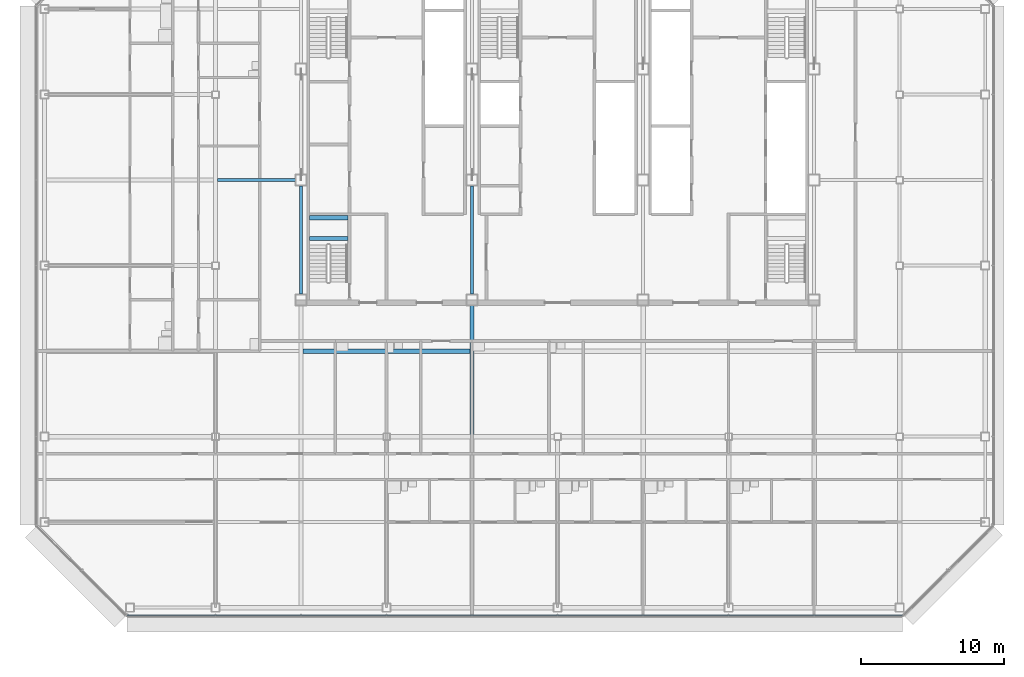
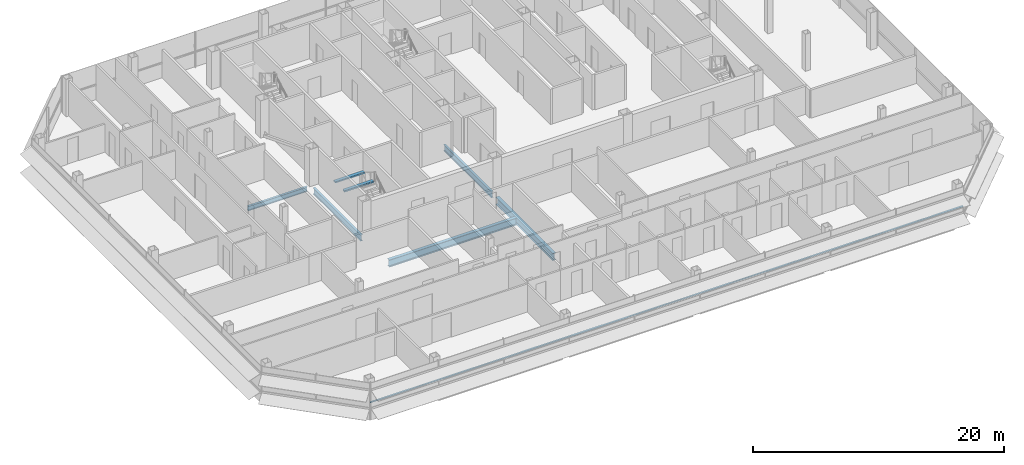
# One storey, part 8 of 28: 7 beams, 1 member, 1 element without a shape of its own.
"""IFC4 building model written with IfcOpenShell, lengths in metres."""

from ifc_helpers import new_model, si_unit, direction, frame, origin, origin_2d, place, context, subcontext, project, spatial, rectangle, i_section, extrude, material, material_profile, profile_set, type_object, element, aggregate, save


model = new_model("IFC4")

# Units and contexts
model_context = context("Model", 3, precision=1e-05, world=origin(), true_north=direction((0.0, 1.0)))
body_context = subcontext(model_context, "Body", "Model", "MODEL_VIEW")
ifc_project = project(units=[si_unit("LENGTHUNIT", "METRE"), si_unit("AREAUNIT", "SQUARE_METRE"), si_unit("VOLUMEUNIT", "CUBIC_METRE"), si_unit("PLANEANGLEUNIT", "RADIAN"), si_unit("MASSUNIT", "GRAM", prefix="KILO")], contexts=[model_context])

# Site, building, storey
site_placement = place(None, origin())
site = spatial("IfcSite", under=ifc_project, at=site_placement, CompositionType="ELEMENT")
building_placement = place(site_placement, origin())
building = spatial("IfcBuilding", under=site, at=building_placement, Name="Sorahane Residences", CompositionType="ELEMENT")
storey_placement = place(building_placement, frame((0.0, 0.0, 250.39990234375)))
storey = spatial("IfcBuildingStorey", under=building, at=storey_placement, Name="L59", CompositionType="ELEMENT", Elevation=250.39990234375)

# Curtain wall, member
ifc_material_1 = material(Name="Dark low-e glass and black anodised aluminium", Category="aluminium")
curtain_wall_type = type_object("IfcCurtainWallType", Name="Curtain wall CW-1 Typical unitised wall", PredefinedType="NOTDEFINED", material=ifc_material_1)
curtain_wall_placement = place(storey_placement, origin())
curtain_wall = element("IfcCurtainWall", 1, at=curtain_wall_placement, inside=storey, type_object=curtain_wall_type, Name="CW-1 curtain wall L59 S1", PredefinedType="NOTDEFINED")
ifc_material_2 = material(Name="Black anodised aluminium", Category="aluminium")
ifc_material_profile_1 = material_profile(ifc_material_2, rectangle(XDim=0.10009765625, YDim=0.06005859375, at=origin_2d()), Name="Curtain wall transom CW-1 black anodised aluminium 60x100")
ifc_profile_set_1 = profile_set([ifc_material_profile_1], Name="Black anodised aluminium")
member_type = type_object("IfcMemberType", Name="Curtain wall transom CW-1 black anodised aluminium 60x100", PredefinedType="USERDEFINED", material=ifc_profile_set_1)
member_placement = place(storey_placement, frame((-6.198486328125, -0.530029296875, 1.5), z_axis=(1.0, 0.0, 0.0), x_axis=(0.0, 1.0, 0.0)))
member = element("IfcMember", 2, at=member_placement, type_object=member_type, Name="CW-1 transom L59 S1", ObjectType="TRANSOM", PredefinedType="USERDEFINED", context=body_context, shape_type="SweptSolid", body=[
    extrude(rectangle(XDim=0.10009765625, YDim=0.06005859375, at=origin_2d()), origin(), (0.0, 0.0, 1.0), 54.39697265625),
])
aggregate(curtain_wall, [member])

# Beams
ifc_material_3 = material(Name="Concrete C40", Category="concrete")
ifc_material_profile_2 = material_profile(ifc_material_3, rectangle(XDim=0.300048828125, YDim=0.139892578125, at=origin_2d()), Name="300x140")
ifc_profile_set_2 = profile_set([ifc_material_profile_2], Name="Concrete C40")
beam_type_1 = type_object("IfcBeamType", Name="RC landing beam 300 x 140 Concrete C40", PredefinedType="BEAM", material=ifc_profile_set_2)
for number, where, z_axis, x_axis, name in (
    (3, (6.60009765625, 25.89990234375, 1.530029296875), (1.0, 0.0, 0.0), (0.0, 1.0, 0.0), "Landing beam"),
    (4, (6.60009765625, 27.35009765625, 1.530029296875), (1.0, 0.0, 0.0), (0.0, 1.0, 0.0), "Landing beam"),
):
    element("IfcBeam", number, at=place(storey_placement, frame(where, z_axis=z_axis, x_axis=x_axis)), inside=storey, type_object=beam_type_1, Name=name, PredefinedType="BEAM", context=body_context, shape_type="SweptSolid", body=[
        extrude(rectangle(XDim=0.300048828125, YDim=0.139892578125, at=origin_2d()), origin(), (0.0, 0.0, 1.0), 2.699951171875),
    ])
ifc_material_4 = material(Name="Steel Q355B", Category="steel")
ifc_material_profile_3 = material_profile(ifc_material_4, i_section(OverallWidth=0.199951171875, OverallDepth=0.449951171875, WebThickness=0.009033203125, FlangeThickness=0.013916015625, FilletRadius=0.02001953125, at=origin_2d()), Name="HN 450x200x9x14")
ifc_profile_set_3 = profile_set([ifc_material_profile_3], Name="Steel Q355B")
beam_type_2 = type_object("IfcBeamType", Name="Steel floor beam HN 450x200x9x14 Q355B", PredefinedType="BEAM", material=ifc_profile_set_3)
beam_1_placement = place(storey_placement, frame((0.14990234375, 30.0, -0.40478515625), z_axis=(1.0, 0.0, 0.0), x_axis=(0.0, 1.0, 0.0)))
element("IfcBeam", 5, at=beam_1_placement, inside=storey, type_object=beam_type_2, Name="Beam L59 086", PredefinedType="BEAM", context=body_context, shape_type="SweptSolid", body=[
    extrude(i_section(OverallWidth=0.199951171875, OverallDepth=0.449951171875, WebThickness=0.009033203125, FlangeThickness=0.013916015625, FilletRadius=0.02001953125, at=origin_2d()), origin(), (0.0, 0.0, 1.0), 5.4501953125),
])
ifc_material_5 = material(Name="Steel Q355B", Category="steel")
ifc_material_profile_4 = material_profile(ifc_material_5, i_section(OverallWidth=0.199951171875, OverallDepth=0.60009765625, WebThickness=0.010986328125, FlangeThickness=0.01708984375, FilletRadius=0.02392578125, at=origin_2d()), Name="HN 600x200x11x17")
ifc_profile_set_4 = profile_set([ifc_material_profile_4], Name="Steel Q355B")
beam_type_3 = type_object("IfcBeamType", Name="Steel floor beam HN 600x200x11x17 Q355B", PredefinedType="BEAM", material=ifc_profile_set_4)
for number, where, z_axis, x_axis, name in (
    (6, (6.0, 22.0, -0.47998046875), (0.0, 1.0, 0.0), (-1.0, 0.0, 0.0), "Beam L59 030"),
    (7, (18.0, 22.0, -0.47998046875), (0.0, 1.0, 0.0), (-1.0, 0.0, 0.0), "Beam L59 038"),
):
    element("IfcBeam", number, at=place(storey_placement, frame(where, z_axis=z_axis, x_axis=x_axis)), inside=storey, type_object=beam_type_3, Name=name, PredefinedType="BEAM", context=body_context, shape_type="SweptSolid", body=[
        extrude(i_section(OverallWidth=0.199951171875, OverallDepth=0.60009765625, WebThickness=0.010986328125, FlangeThickness=0.01708984375, FilletRadius=0.02392578125, at=origin_2d()), origin(), (0.0, 0.0, 1.0), 7.60009765625),
    ])
ifc_material_6 = material(Name="Steel Q355B", Category="steel")
ifc_material_profile_5 = material_profile(ifc_material_6, i_section(OverallWidth=0.300048828125, OverallDepth=0.699951171875, WebThickness=0.012939453125, FlangeThickness=0.02392578125, FilletRadius=0.028076171875, at=origin_2d()), Name="HN 700x300x13x24")
ifc_profile_set_5 = profile_set([ifc_material_profile_5], Name="Steel Q355B")
beam_type_4 = type_object("IfcBeamType", Name="Steel floor beam HN 700x300x13x24 Q355B", PredefinedType="BEAM", material=ifc_profile_set_5)
beam_2_placement = place(storey_placement, frame((18.0, 12.14990234375, -0.52978515625), z_axis=(0.0, 1.0, 0.0), x_axis=(-1.0, 0.0, 0.0)))
element("IfcBeam", 8, at=beam_2_placement, inside=storey, type_object=beam_type_4, Name="Beam L59 037", PredefinedType="BEAM", context=body_context, shape_type="SweptSolid", body=[
    extrude(i_section(OverallWidth=0.300048828125, OverallDepth=0.699951171875, WebThickness=0.012939453125, FlangeThickness=0.02392578125, FilletRadius=0.028076171875, at=origin_2d()), origin(), (0.0, 0.0, 1.0), 9.050048828125),
])
beam_3_placement = place(storey_placement, frame((6.14990234375, 18.0, -0.52978515625), z_axis=(1.0, 0.0, 0.0), x_axis=(0.0, 1.0, 0.0)))
element("IfcBeam", 9, at=beam_3_placement, inside=storey, type_object=beam_type_4, Name="Beam L59 080", PredefinedType="BEAM", context=body_context, shape_type="SweptSolid", body=[
    extrude(i_section(OverallWidth=0.300048828125, OverallDepth=0.699951171875, WebThickness=0.012939453125, FlangeThickness=0.02392578125, FilletRadius=0.028076171875, at=origin_2d()), origin(), (0.0, 0.0, 1.0), 11.7001953125),
])

save(model, "model.ifc")
